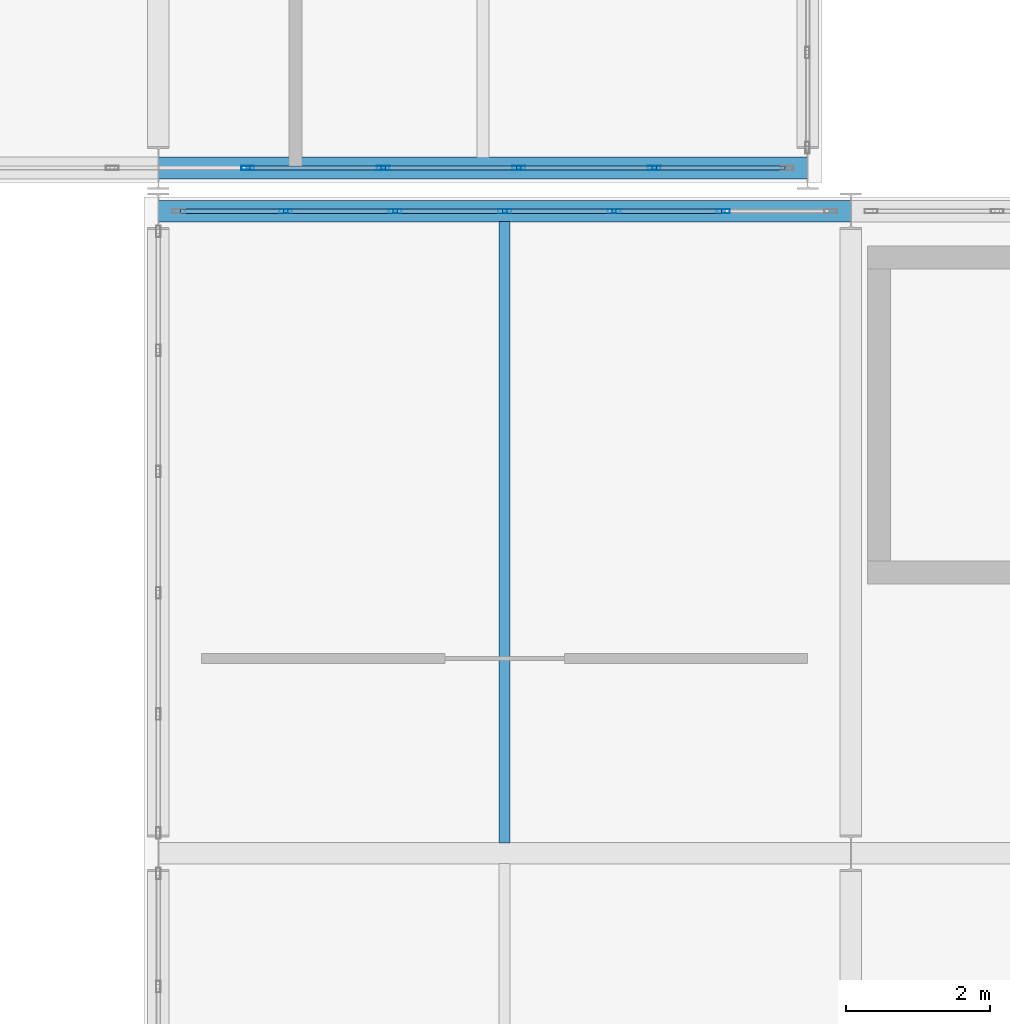
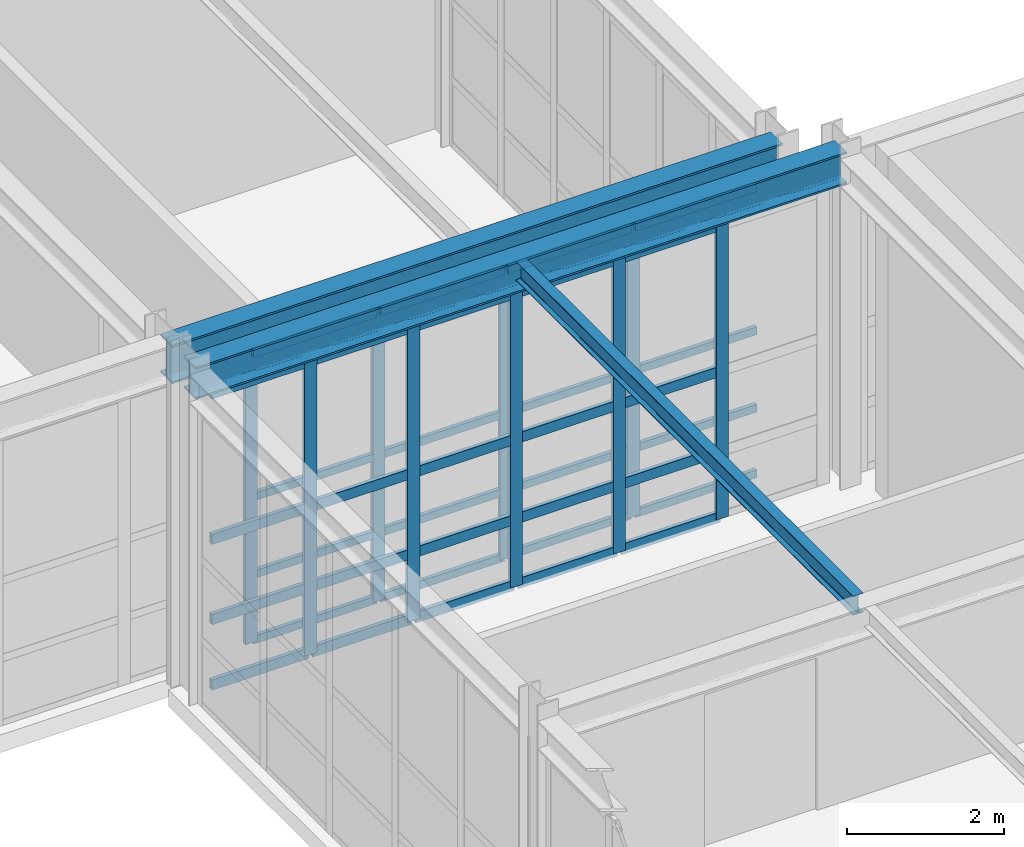
# One storey, part 96 of 210: 45 members, 3 beams, 2 elements without a shape of their own.
"""IFC4 building model written with IfcOpenShell, lengths in metres."""

from ifc_helpers import new_model, si_unit, direction, frame, origin, origin_2d, place, context, subcontext, project, spatial, hollow_rectangle, i_section, extrude, material, material_profile, profile_set, type_object, element, aggregate, save


model = new_model("IFC4")

# Units and contexts
model_context = context("Model", 3, precision=1e-05, world=origin(), true_north=direction((0.0, 1.0)))
body_context = subcontext(model_context, "Body", "Model", "MODEL_VIEW")
ifc_project = project(units=[si_unit("LENGTHUNIT", "METRE"), si_unit("AREAUNIT", "SQUARE_METRE"), si_unit("VOLUMEUNIT", "CUBIC_METRE"), si_unit("PLANEANGLEUNIT", "RADIAN"), si_unit("MASSUNIT", "GRAM", prefix="KILO")], contexts=[model_context])

# Site, building, storey
site_placement = place(None, origin())
site = spatial("IfcSite", under=ifc_project, at=site_placement, CompositionType="ELEMENT")
building_placement = place(site_placement, origin())
building = spatial("IfcBuilding", under=site, at=building_placement, Name="Kaldris Quays Convention Centre", CompositionType="ELEMENT")
storey_placement = place(building_placement, frame((0.0, 0.0, 6.0)))
storey = spatial("IfcBuildingStorey", under=building, at=storey_placement, Name="L01", CompositionType="ELEMENT", Elevation=6.0)

# Curtain wall, members
ifc_material_1 = material(Name="Anodized aluminium AW-6060 and triple glazing", Category="aluminium")
curtain_wall_type_1 = type_object("IfcCurtainWallType", Name="UNITISED CURTAIN WALL CW05", PredefinedType="NOTDEFINED", material=ifc_material_1)
curtain_wall_1_placement = place(storey_placement, origin())
curtain_wall_1 = element("IfcCurtainWall", 1, at=curtain_wall_1_placement, inside=storey, type_object=curtain_wall_type_1, Name="L01 Unitised Curtain Wall CW05 141", PredefinedType="NOTDEFINED")
ifc_material_2 = material(Name="Anodized aluminium AW-6060", Category="aluminium")
ifc_material_profile_1 = material_profile(ifc_material_2, hollow_rectangle(XDim=0.06005859375, YDim=0.179931640625, WallThickness=0.0048828125, at=origin_2d()), Name="RHS 180x60x5")
ifc_profile_set_1 = profile_set([ifc_material_profile_1], Name="Anodized aluminium AW-6060")
member_type_1 = type_object("IfcMemberType", Name="CURTAIN MULLION CWM2", PredefinedType="MULLION", material=ifc_profile_set_1)
member_1_placement = place(storey_placement, frame((156.23876953125, 38.0, 0.0), z_axis=(0.0, 0.0, 1.0), x_axis=(0.0, 1.0, 0.0)))
member_1 = element("IfcMember", 2, at=member_1_placement, type_object=member_type_1, Name="CW05 mullion 6", PredefinedType="MULLION", context=body_context, shape_type="SweptSolid", body=[
    extrude(hollow_rectangle(XDim=0.06005859375, YDim=0.179931640625, WallThickness=0.0048828125, at=origin_2d()), origin(), (0.0, 0.0, 1.0), 4.51806640625),
])
member_2_placement = place(storey_placement, frame((158.11669921875, 38.0, 0.0), z_axis=(0.0, 0.0, 1.0), x_axis=(0.0, 1.0, 0.0)))
member_2 = element("IfcMember", 3, at=member_2_placement, type_object=member_type_1, Name="CW05 mullion 7", PredefinedType="MULLION", context=body_context, shape_type="SweptSolid", body=[
    extrude(hollow_rectangle(XDim=0.06005859375, YDim=0.179931640625, WallThickness=0.0048828125, at=origin_2d()), origin(), (0.0, 0.0, 1.0), 4.51806640625),
])
member_3_placement = place(storey_placement, frame((159.994384765625, 38.0, 0.0), z_axis=(0.0, 0.0, 1.0), x_axis=(0.0, 1.0, 0.0)))
member_3 = element("IfcMember", 4, at=member_3_placement, type_object=member_type_1, Name="CW05 mullion 8", PredefinedType="MULLION", context=body_context, shape_type="SweptSolid", body=[
    extrude(hollow_rectangle(XDim=0.06005859375, YDim=0.179931640625, WallThickness=0.0048828125, at=origin_2d()), origin(), (0.0, 0.0, 1.0), 4.51806640625),
])
member_4_placement = place(storey_placement, frame((161.872314453125, 38.0, 0.0), z_axis=(0.0, 0.0, 1.0), x_axis=(0.0, 1.0, 0.0)))
member_4 = element("IfcMember", 5, at=member_4_placement, type_object=member_type_1, Name="CW05 mullion 9", PredefinedType="MULLION", context=body_context, shape_type="SweptSolid", body=[
    extrude(hollow_rectangle(XDim=0.06005859375, YDim=0.179931640625, WallThickness=0.0048828125, at=origin_2d()), origin(), (0.0, 0.0, 1.0), 4.51806640625),
])

curtain_wall_type_2 = type_object("IfcCurtainWallType", Name="UNITISED CURTAIN WALL CW02", PredefinedType="NOTDEFINED", material=ifc_material_1)
curtain_wall_2_placement = place(storey_placement, origin())
curtain_wall_2 = element("IfcCurtainWall", 6, at=curtain_wall_2_placement, inside=storey, type_object=curtain_wall_type_2, Name="L01 Unitised Curtain Wall CW02 186", PredefinedType="NOTDEFINED")
member_5_placement = place(storey_placement, frame((156.7666015625, 37.39990234375, 0.0), z_axis=(0.0, 0.0, 1.0), x_axis=(0.0, 1.0, 0.0)))
member_5 = element("IfcMember", 7, at=member_5_placement, type_object=member_type_1, Name="CW02 mullion 2", PredefinedType="MULLION", context=body_context, shape_type="SweptSolid", body=[
    extrude(hollow_rectangle(XDim=0.06005859375, YDim=0.179931640625, WallThickness=0.0048828125, at=origin_2d()), origin(), (0.0, 0.0, 1.0), 4.60009765625),
])
member_6_placement = place(storey_placement, frame((158.283447265625, 37.39990234375, 0.0), z_axis=(0.0, 0.0, 1.0), x_axis=(0.0, 1.0, 0.0)))
member_6 = element("IfcMember", 8, at=member_6_placement, type_object=member_type_1, Name="CW02 mullion 3", PredefinedType="MULLION", context=body_context, shape_type="SweptSolid", body=[
    extrude(hollow_rectangle(XDim=0.06005859375, YDim=0.179931640625, WallThickness=0.0048828125, at=origin_2d()), origin(), (0.0, 0.0, 1.0), 4.60009765625),
])
member_7_placement = place(storey_placement, frame((159.800048828125, 37.39990234375, 0.0), z_axis=(0.0, 0.0, 1.0), x_axis=(0.0, 1.0, 0.0)))
member_7 = element("IfcMember", 9, at=member_7_placement, type_object=member_type_1, Name="CW02 mullion 4", PredefinedType="MULLION", context=body_context, shape_type="SweptSolid", body=[
    extrude(hollow_rectangle(XDim=0.06005859375, YDim=0.179931640625, WallThickness=0.0048828125, at=origin_2d()), origin(), (0.0, 0.0, 1.0), 4.60009765625),
])
member_8_placement = place(storey_placement, frame((161.316650390625, 37.39990234375, 0.0), z_axis=(0.0, 0.0, 1.0), x_axis=(0.0, 1.0, 0.0)))
member_8 = element("IfcMember", 10, at=member_8_placement, type_object=member_type_1, Name="CW02 mullion 5", PredefinedType="MULLION", context=body_context, shape_type="SweptSolid", body=[
    extrude(hollow_rectangle(XDim=0.06005859375, YDim=0.179931640625, WallThickness=0.0048828125, at=origin_2d()), origin(), (0.0, 0.0, 1.0), 4.60009765625),
])
member_9_placement = place(storey_placement, frame((162.833251953125, 37.39990234375, 0.0), z_axis=(0.0, 0.0, 1.0), x_axis=(0.0, 1.0, 0.0)))
member_9 = element("IfcMember", 11, at=member_9_placement, type_object=member_type_1, Name="CW02 mullion 6", PredefinedType="MULLION", context=body_context, shape_type="SweptSolid", body=[
    extrude(hollow_rectangle(XDim=0.06005859375, YDim=0.179931640625, WallThickness=0.0048828125, at=origin_2d()), origin(), (0.0, 0.0, 1.0), 4.60009765625),
])

# Member
ifc_material_profile_2 = material_profile(ifc_material_2, hollow_rectangle(XDim=0.06005859375, YDim=0.1201171875, WallThickness=0.00390625, at=origin_2d()), Name="RHS 120x60x4")
ifc_profile_set_2 = profile_set([ifc_material_profile_2], Name="Anodized aluminium AW-6060")
member_type_2 = type_object("IfcMemberType", Name="CURTAIN TRANSOM CWT1", PredefinedType="USERDEFINED", material=ifc_profile_set_2)
member_10_placement = place(storey_placement, frame((156.268798828125, 38.0, 0.030029296875), z_axis=(1.0, 0.0, 0.0), x_axis=(0.0, 1.0, 0.0)))
member_10 = element("IfcMember", 12, at=member_10_placement, type_object=member_type_2, Name="CW05 transom 6.1", ObjectType="TRANSOM", PredefinedType="USERDEFINED", context=body_context, shape_type="SweptSolid", body=[
    extrude(hollow_rectangle(XDim=0.06005859375, YDim=0.1201171875, WallThickness=0.00390625, at=origin_2d()), origin(), (0.0, 0.0, 1.0), 1.81787109375),
])

member_11_placement = place(storey_placement, frame((156.268798828125, 38.0, 1.050048828125), z_axis=(1.0, 0.0, 0.0), x_axis=(0.0, 1.0, 0.0)))
member_11 = element("IfcMember", 13, at=member_11_placement, type_object=member_type_2, Name="CW05 transom 6.2", ObjectType="TRANSOM", PredefinedType="USERDEFINED", context=body_context, shape_type="SweptSolid", body=[
    extrude(hollow_rectangle(XDim=0.06005859375, YDim=0.1201171875, WallThickness=0.00390625, at=origin_2d()), origin(), (0.0, 0.0, 1.0), 1.81787109375),
])

member_12_placement = place(storey_placement, frame((156.268798828125, 38.0, 2.259033203125), z_axis=(1.0, 0.0, 0.0), x_axis=(0.0, 1.0, 0.0)))
member_12 = element("IfcMember", 14, at=member_12_placement, type_object=member_type_2, Name="CW05 transom 6.3", ObjectType="TRANSOM", PredefinedType="USERDEFINED", context=body_context, shape_type="SweptSolid", body=[
    extrude(hollow_rectangle(XDim=0.06005859375, YDim=0.1201171875, WallThickness=0.00390625, at=origin_2d()), origin(), (0.0, 0.0, 1.0), 1.81787109375),
])

member_13_placement = place(storey_placement, frame((156.268798828125, 38.0, 4.488037109375), z_axis=(1.0, 0.0, 0.0), x_axis=(0.0, 1.0, 0.0)))
member_13 = element("IfcMember", 15, at=member_13_placement, type_object=member_type_2, Name="CW05 transom 6.4", ObjectType="TRANSOM", PredefinedType="USERDEFINED", context=body_context, shape_type="SweptSolid", body=[
    extrude(hollow_rectangle(XDim=0.06005859375, YDim=0.1201171875, WallThickness=0.00390625, at=origin_2d()), origin(), (0.0, 0.0, 1.0), 1.81787109375),
])

member_14_placement = place(storey_placement, frame((158.146728515625, 38.0, 0.030029296875), z_axis=(1.0, 0.0, 0.0), x_axis=(0.0, 1.0, 0.0)))
member_14 = element("IfcMember", 16, at=member_14_placement, type_object=member_type_2, Name="CW05 transom 7.1", ObjectType="TRANSOM", PredefinedType="USERDEFINED", context=body_context, shape_type="SweptSolid", body=[
    extrude(hollow_rectangle(XDim=0.06005859375, YDim=0.1201171875, WallThickness=0.00390625, at=origin_2d()), origin(), (0.0, 0.0, 1.0), 1.817626953125),
])

member_15_placement = place(storey_placement, frame((158.146728515625, 38.0, 1.050048828125), z_axis=(1.0, 0.0, 0.0), x_axis=(0.0, 1.0, 0.0)))
member_15 = element("IfcMember", 17, at=member_15_placement, type_object=member_type_2, Name="CW05 transom 7.2", ObjectType="TRANSOM", PredefinedType="USERDEFINED", context=body_context, shape_type="SweptSolid", body=[
    extrude(hollow_rectangle(XDim=0.06005859375, YDim=0.1201171875, WallThickness=0.00390625, at=origin_2d()), origin(), (0.0, 0.0, 1.0), 1.817626953125),
])

member_16_placement = place(storey_placement, frame((158.146728515625, 38.0, 2.259033203125), z_axis=(1.0, 0.0, 0.0), x_axis=(0.0, 1.0, 0.0)))
member_16 = element("IfcMember", 18, at=member_16_placement, type_object=member_type_2, Name="CW05 transom 7.3", ObjectType="TRANSOM", PredefinedType="USERDEFINED", context=body_context, shape_type="SweptSolid", body=[
    extrude(hollow_rectangle(XDim=0.06005859375, YDim=0.1201171875, WallThickness=0.00390625, at=origin_2d()), origin(), (0.0, 0.0, 1.0), 1.817626953125),
])

member_17_placement = place(storey_placement, frame((158.146728515625, 38.0, 4.488037109375), z_axis=(1.0, 0.0, 0.0), x_axis=(0.0, 1.0, 0.0)))
member_17 = element("IfcMember", 19, at=member_17_placement, type_object=member_type_2, Name="CW05 transom 7.4", ObjectType="TRANSOM", PredefinedType="USERDEFINED", context=body_context, shape_type="SweptSolid", body=[
    extrude(hollow_rectangle(XDim=0.06005859375, YDim=0.1201171875, WallThickness=0.00390625, at=origin_2d()), origin(), (0.0, 0.0, 1.0), 1.817626953125),
])

member_18_placement = place(storey_placement, frame((160.0244140625, 38.0, 0.030029296875), z_axis=(1.0, 0.0, 0.0), x_axis=(0.0, 1.0, 0.0)))
member_18 = element("IfcMember", 20, at=member_18_placement, type_object=member_type_2, Name="CW05 transom 8.1", ObjectType="TRANSOM", PredefinedType="USERDEFINED", context=body_context, shape_type="SweptSolid", body=[
    extrude(hollow_rectangle(XDim=0.06005859375, YDim=0.1201171875, WallThickness=0.00390625, at=origin_2d()), origin(), (0.0, 0.0, 1.0), 1.81787109375),
])

member_19_placement = place(storey_placement, frame((160.0244140625, 38.0, 1.050048828125), z_axis=(1.0, 0.0, 0.0), x_axis=(0.0, 1.0, 0.0)))
member_19 = element("IfcMember", 21, at=member_19_placement, type_object=member_type_2, Name="CW05 transom 8.2", ObjectType="TRANSOM", PredefinedType="USERDEFINED", context=body_context, shape_type="SweptSolid", body=[
    extrude(hollow_rectangle(XDim=0.06005859375, YDim=0.1201171875, WallThickness=0.00390625, at=origin_2d()), origin(), (0.0, 0.0, 1.0), 1.81787109375),
])

member_20_placement = place(storey_placement, frame((160.0244140625, 38.0, 2.259033203125), z_axis=(1.0, 0.0, 0.0), x_axis=(0.0, 1.0, 0.0)))
member_20 = element("IfcMember", 22, at=member_20_placement, type_object=member_type_2, Name="CW05 transom 8.3", ObjectType="TRANSOM", PredefinedType="USERDEFINED", context=body_context, shape_type="SweptSolid", body=[
    extrude(hollow_rectangle(XDim=0.06005859375, YDim=0.1201171875, WallThickness=0.00390625, at=origin_2d()), origin(), (0.0, 0.0, 1.0), 1.81787109375),
])

member_21_placement = place(storey_placement, frame((160.0244140625, 38.0, 4.488037109375), z_axis=(1.0, 0.0, 0.0), x_axis=(0.0, 1.0, 0.0)))
member_21 = element("IfcMember", 23, at=member_21_placement, type_object=member_type_2, Name="CW05 transom 8.4", ObjectType="TRANSOM", PredefinedType="USERDEFINED", context=body_context, shape_type="SweptSolid", body=[
    extrude(hollow_rectangle(XDim=0.06005859375, YDim=0.1201171875, WallThickness=0.00390625, at=origin_2d()), origin(), (0.0, 0.0, 1.0), 1.81787109375),
])

member_22_placement = place(storey_placement, frame((161.90234375, 38.0, 0.030029296875), z_axis=(1.0, 0.0, 0.0), x_axis=(0.0, 1.0, 0.0)))
member_22 = element("IfcMember", 24, at=member_22_placement, type_object=member_type_2, Name="CW05 transom 9.1", ObjectType="TRANSOM", PredefinedType="USERDEFINED", context=body_context, shape_type="SweptSolid", body=[
    extrude(hollow_rectangle(XDim=0.06005859375, YDim=0.1201171875, WallThickness=0.00390625, at=origin_2d()), origin(), (0.0, 0.0, 1.0), 1.78759765625),
])

member_23_placement = place(storey_placement, frame((161.90234375, 38.0, 1.050048828125), z_axis=(1.0, 0.0, 0.0), x_axis=(0.0, 1.0, 0.0)))
member_23 = element("IfcMember", 25, at=member_23_placement, type_object=member_type_2, Name="CW05 transom 9.2", ObjectType="TRANSOM", PredefinedType="USERDEFINED", context=body_context, shape_type="SweptSolid", body=[
    extrude(hollow_rectangle(XDim=0.06005859375, YDim=0.1201171875, WallThickness=0.00390625, at=origin_2d()), origin(), (0.0, 0.0, 1.0), 1.78759765625),
])

member_24_placement = place(storey_placement, frame((161.90234375, 38.0, 2.259033203125), z_axis=(1.0, 0.0, 0.0), x_axis=(0.0, 1.0, 0.0)))
member_24 = element("IfcMember", 26, at=member_24_placement, type_object=member_type_2, Name="CW05 transom 9.3", ObjectType="TRANSOM", PredefinedType="USERDEFINED", context=body_context, shape_type="SweptSolid", body=[
    extrude(hollow_rectangle(XDim=0.06005859375, YDim=0.1201171875, WallThickness=0.00390625, at=origin_2d()), origin(), (0.0, 0.0, 1.0), 1.78759765625),
])

member_25_placement = place(storey_placement, frame((161.90234375, 38.0, 4.488037109375), z_axis=(1.0, 0.0, 0.0), x_axis=(0.0, 1.0, 0.0)))
member_25 = element("IfcMember", 27, at=member_25_placement, type_object=member_type_2, Name="CW05 transom 9.4", ObjectType="TRANSOM", PredefinedType="USERDEFINED", context=body_context, shape_type="SweptSolid", body=[
    extrude(hollow_rectangle(XDim=0.06005859375, YDim=0.1201171875, WallThickness=0.00390625, at=origin_2d()), origin(), (0.0, 0.0, 1.0), 1.78759765625),
])

aggregate(curtain_wall_1, [member_1, member_2, member_3, member_4, member_10, member_11, member_12, member_13, member_14, member_15, member_16, member_17, member_18, member_19, member_20, member_21, member_22, member_23, member_24, member_25])

ifc_material_profile_3 = material_profile(ifc_material_2, hollow_rectangle(XDim=0.06005859375, YDim=0.159912109375, WallThickness=0.00390625, at=origin_2d()), Name="RHS 160x60x4")
ifc_profile_set_3 = profile_set([ifc_material_profile_3], Name="Anodized aluminium AW-6060")
member_type_3 = type_object("IfcMemberType", Name="CURTAIN TRANSOM CWT2", PredefinedType="USERDEFINED", material=ifc_profile_set_3)
member_26_placement = place(storey_placement, frame((155.31005859375, 37.39990234375, 0.030029296875), z_axis=(1.0, 0.0, 0.0), x_axis=(0.0, 1.0, 0.0)))
member_26 = element("IfcMember", 28, at=member_26_placement, type_object=member_type_3, Name="CW02 transom 1.1", ObjectType="TRANSOM", PredefinedType="USERDEFINED", context=body_context, shape_type="SweptSolid", body=[
    extrude(hollow_rectangle(XDim=0.06005859375, YDim=0.159912109375, WallThickness=0.00390625, at=origin_2d()), origin(), (0.0, 0.0, 1.0), 1.426513671875),
])

member_27_placement = place(storey_placement, frame((155.31005859375, 37.39990234375, 1.050048828125), z_axis=(1.0, 0.0, 0.0), x_axis=(0.0, 1.0, 0.0)))
member_27 = element("IfcMember", 29, at=member_27_placement, type_object=member_type_3, Name="CW02 transom 1.2", ObjectType="TRANSOM", PredefinedType="USERDEFINED", context=body_context, shape_type="SweptSolid", body=[
    extrude(hollow_rectangle(XDim=0.06005859375, YDim=0.159912109375, WallThickness=0.00390625, at=origin_2d()), origin(), (0.0, 0.0, 1.0), 1.426513671875),
])

member_28_placement = place(storey_placement, frame((155.31005859375, 37.39990234375, 2.300048828125), z_axis=(1.0, 0.0, 0.0), x_axis=(0.0, 1.0, 0.0)))
member_28 = element("IfcMember", 30, at=member_28_placement, type_object=member_type_3, Name="CW02 transom 1.3", ObjectType="TRANSOM", PredefinedType="USERDEFINED", context=body_context, shape_type="SweptSolid", body=[
    extrude(hollow_rectangle(XDim=0.06005859375, YDim=0.159912109375, WallThickness=0.00390625, at=origin_2d()), origin(), (0.0, 0.0, 1.0), 1.426513671875),
])

member_29_placement = place(storey_placement, frame((155.31005859375, 37.39990234375, 4.570068359375), z_axis=(1.0, 0.0, 0.0), x_axis=(0.0, 1.0, 0.0)))
member_29 = element("IfcMember", 31, at=member_29_placement, type_object=member_type_3, Name="CW02 transom 1.4", ObjectType="TRANSOM", PredefinedType="USERDEFINED", context=body_context, shape_type="SweptSolid", body=[
    extrude(hollow_rectangle(XDim=0.06005859375, YDim=0.159912109375, WallThickness=0.00390625, at=origin_2d()), origin(), (0.0, 0.0, 1.0), 1.426513671875),
])

member_30_placement = place(storey_placement, frame((156.796630859375, 37.39990234375, 0.030029296875), z_axis=(1.0, 0.0, 0.0), x_axis=(0.0, 1.0, 0.0)))
member_30 = element("IfcMember", 32, at=member_30_placement, type_object=member_type_3, Name="CW02 transom 2.1", ObjectType="TRANSOM", PredefinedType="USERDEFINED", context=body_context, shape_type="SweptSolid", body=[
    extrude(hollow_rectangle(XDim=0.06005859375, YDim=0.159912109375, WallThickness=0.00390625, at=origin_2d()), origin(), (0.0, 0.0, 1.0), 1.456787109375),
])

member_31_placement = place(storey_placement, frame((156.796630859375, 37.39990234375, 1.050048828125), z_axis=(1.0, 0.0, 0.0), x_axis=(0.0, 1.0, 0.0)))
member_31 = element("IfcMember", 33, at=member_31_placement, type_object=member_type_3, Name="CW02 transom 2.2", ObjectType="TRANSOM", PredefinedType="USERDEFINED", context=body_context, shape_type="SweptSolid", body=[
    extrude(hollow_rectangle(XDim=0.06005859375, YDim=0.159912109375, WallThickness=0.00390625, at=origin_2d()), origin(), (0.0, 0.0, 1.0), 1.456787109375),
])

member_32_placement = place(storey_placement, frame((156.796630859375, 37.39990234375, 2.300048828125), z_axis=(1.0, 0.0, 0.0), x_axis=(0.0, 1.0, 0.0)))
member_32 = element("IfcMember", 34, at=member_32_placement, type_object=member_type_3, Name="CW02 transom 2.3", ObjectType="TRANSOM", PredefinedType="USERDEFINED", context=body_context, shape_type="SweptSolid", body=[
    extrude(hollow_rectangle(XDim=0.06005859375, YDim=0.159912109375, WallThickness=0.00390625, at=origin_2d()), origin(), (0.0, 0.0, 1.0), 1.456787109375),
])

member_33_placement = place(storey_placement, frame((156.796630859375, 37.39990234375, 4.570068359375), z_axis=(1.0, 0.0, 0.0), x_axis=(0.0, 1.0, 0.0)))
member_33 = element("IfcMember", 35, at=member_33_placement, type_object=member_type_3, Name="CW02 transom 2.4", ObjectType="TRANSOM", PredefinedType="USERDEFINED", context=body_context, shape_type="SweptSolid", body=[
    extrude(hollow_rectangle(XDim=0.06005859375, YDim=0.159912109375, WallThickness=0.00390625, at=origin_2d()), origin(), (0.0, 0.0, 1.0), 1.456787109375),
])

member_34_placement = place(storey_placement, frame((158.313232421875, 37.39990234375, 0.030029296875), z_axis=(1.0, 0.0, 0.0), x_axis=(0.0, 1.0, 0.0)))
member_34 = element("IfcMember", 36, at=member_34_placement, type_object=member_type_3, Name="CW02 transom 3.1", ObjectType="TRANSOM", PredefinedType="USERDEFINED", context=body_context, shape_type="SweptSolid", body=[
    extrude(hollow_rectangle(XDim=0.06005859375, YDim=0.159912109375, WallThickness=0.00390625, at=origin_2d()), origin(), (0.0, 0.0, 1.0), 1.456787109375),
])

member_35_placement = place(storey_placement, frame((158.313232421875, 37.39990234375, 1.050048828125), z_axis=(1.0, 0.0, 0.0), x_axis=(0.0, 1.0, 0.0)))
member_35 = element("IfcMember", 37, at=member_35_placement, type_object=member_type_3, Name="CW02 transom 3.2", ObjectType="TRANSOM", PredefinedType="USERDEFINED", context=body_context, shape_type="SweptSolid", body=[
    extrude(hollow_rectangle(XDim=0.06005859375, YDim=0.159912109375, WallThickness=0.00390625, at=origin_2d()), origin(), (0.0, 0.0, 1.0), 1.456787109375),
])

member_36_placement = place(storey_placement, frame((158.313232421875, 37.39990234375, 2.300048828125), z_axis=(1.0, 0.0, 0.0), x_axis=(0.0, 1.0, 0.0)))
member_36 = element("IfcMember", 38, at=member_36_placement, type_object=member_type_3, Name="CW02 transom 3.3", ObjectType="TRANSOM", PredefinedType="USERDEFINED", context=body_context, shape_type="SweptSolid", body=[
    extrude(hollow_rectangle(XDim=0.06005859375, YDim=0.159912109375, WallThickness=0.00390625, at=origin_2d()), origin(), (0.0, 0.0, 1.0), 1.456787109375),
])

member_37_placement = place(storey_placement, frame((158.313232421875, 37.39990234375, 4.570068359375), z_axis=(1.0, 0.0, 0.0), x_axis=(0.0, 1.0, 0.0)))
member_37 = element("IfcMember", 39, at=member_37_placement, type_object=member_type_3, Name="CW02 transom 3.4", ObjectType="TRANSOM", PredefinedType="USERDEFINED", context=body_context, shape_type="SweptSolid", body=[
    extrude(hollow_rectangle(XDim=0.06005859375, YDim=0.159912109375, WallThickness=0.00390625, at=origin_2d()), origin(), (0.0, 0.0, 1.0), 1.456787109375),
])

member_38_placement = place(storey_placement, frame((159.830078125, 37.39990234375, 0.030029296875), z_axis=(1.0, 0.0, 0.0), x_axis=(0.0, 1.0, 0.0)))
member_38 = element("IfcMember", 40, at=member_38_placement, type_object=member_type_3, Name="CW02 transom 4.1", ObjectType="TRANSOM", PredefinedType="USERDEFINED", context=body_context, shape_type="SweptSolid", body=[
    extrude(hollow_rectangle(XDim=0.06005859375, YDim=0.159912109375, WallThickness=0.00390625, at=origin_2d()), origin(), (0.0, 0.0, 1.0), 1.45654296875),
])

member_39_placement = place(storey_placement, frame((159.830078125, 37.39990234375, 1.050048828125), z_axis=(1.0, 0.0, 0.0), x_axis=(0.0, 1.0, 0.0)))
member_39 = element("IfcMember", 41, at=member_39_placement, type_object=member_type_3, Name="CW02 transom 4.2", ObjectType="TRANSOM", PredefinedType="USERDEFINED", context=body_context, shape_type="SweptSolid", body=[
    extrude(hollow_rectangle(XDim=0.06005859375, YDim=0.159912109375, WallThickness=0.00390625, at=origin_2d()), origin(), (0.0, 0.0, 1.0), 1.45654296875),
])

member_40_placement = place(storey_placement, frame((159.830078125, 37.39990234375, 2.300048828125), z_axis=(1.0, 0.0, 0.0), x_axis=(0.0, 1.0, 0.0)))
member_40 = element("IfcMember", 42, at=member_40_placement, type_object=member_type_3, Name="CW02 transom 4.3", ObjectType="TRANSOM", PredefinedType="USERDEFINED", context=body_context, shape_type="SweptSolid", body=[
    extrude(hollow_rectangle(XDim=0.06005859375, YDim=0.159912109375, WallThickness=0.00390625, at=origin_2d()), origin(), (0.0, 0.0, 1.0), 1.45654296875),
])

member_41_placement = place(storey_placement, frame((159.830078125, 37.39990234375, 4.570068359375), z_axis=(1.0, 0.0, 0.0), x_axis=(0.0, 1.0, 0.0)))
member_41 = element("IfcMember", 43, at=member_41_placement, type_object=member_type_3, Name="CW02 transom 4.4", ObjectType="TRANSOM", PredefinedType="USERDEFINED", context=body_context, shape_type="SweptSolid", body=[
    extrude(hollow_rectangle(XDim=0.06005859375, YDim=0.159912109375, WallThickness=0.00390625, at=origin_2d()), origin(), (0.0, 0.0, 1.0), 1.45654296875),
])

member_42_placement = place(storey_placement, frame((161.3466796875, 37.39990234375, 0.030029296875), z_axis=(1.0, 0.0, 0.0), x_axis=(0.0, 1.0, 0.0)))
member_42 = element("IfcMember", 44, at=member_42_placement, type_object=member_type_3, Name="CW02 transom 5.1", ObjectType="TRANSOM", PredefinedType="USERDEFINED", context=body_context, shape_type="SweptSolid", body=[
    extrude(hollow_rectangle(XDim=0.06005859375, YDim=0.159912109375, WallThickness=0.00390625, at=origin_2d()), origin(), (0.0, 0.0, 1.0), 1.45654296875),
])

member_43_placement = place(storey_placement, frame((161.3466796875, 37.39990234375, 1.050048828125), z_axis=(1.0, 0.0, 0.0), x_axis=(0.0, 1.0, 0.0)))
member_43 = element("IfcMember", 45, at=member_43_placement, type_object=member_type_3, Name="CW02 transom 5.2", ObjectType="TRANSOM", PredefinedType="USERDEFINED", context=body_context, shape_type="SweptSolid", body=[
    extrude(hollow_rectangle(XDim=0.06005859375, YDim=0.159912109375, WallThickness=0.00390625, at=origin_2d()), origin(), (0.0, 0.0, 1.0), 1.45654296875),
])

member_44_placement = place(storey_placement, frame((161.3466796875, 37.39990234375, 2.300048828125), z_axis=(1.0, 0.0, 0.0), x_axis=(0.0, 1.0, 0.0)))
member_44 = element("IfcMember", 46, at=member_44_placement, type_object=member_type_3, Name="CW02 transom 5.3", ObjectType="TRANSOM", PredefinedType="USERDEFINED", context=body_context, shape_type="SweptSolid", body=[
    extrude(hollow_rectangle(XDim=0.06005859375, YDim=0.159912109375, WallThickness=0.00390625, at=origin_2d()), origin(), (0.0, 0.0, 1.0), 1.45654296875),
])

member_45_placement = place(storey_placement, frame((161.3466796875, 37.39990234375, 4.570068359375), z_axis=(1.0, 0.0, 0.0), x_axis=(0.0, 1.0, 0.0)))
member_45 = element("IfcMember", 47, at=member_45_placement, type_object=member_type_3, Name="CW02 transom 5.4", ObjectType="TRANSOM", PredefinedType="USERDEFINED", context=body_context, shape_type="SweptSolid", body=[
    extrude(hollow_rectangle(XDim=0.06005859375, YDim=0.159912109375, WallThickness=0.00390625, at=origin_2d()), origin(), (0.0, 0.0, 1.0), 1.45654296875),
])

aggregate(curtain_wall_2, [member_5, member_6, member_7, member_8, member_9, member_26, member_27, member_28, member_29, member_30, member_31, member_32, member_33, member_34, member_35, member_36, member_37, member_38, member_39, member_40, member_41, member_42, member_43, member_44, member_45])

# Beams
ifc_material_3 = material(Name="Steel S355J2", Category="steel")
ifc_material_profile_4 = material_profile(ifc_material_3, i_section(OverallWidth=0.300048828125, OverallDepth=0.60009765625, WebThickness=0.015380859375, FlangeThickness=0.030029296875, FilletRadius=0.027099609375, at=origin_2d()), Name="HEB 600")
ifc_profile_set_4 = profile_set([ifc_material_profile_4], Name="Steel S355J2")
beam_type_1 = type_object("IfcBeamType", Name="STRUCTURAL BEAM BM05", PredefinedType="BEAM", material=ifc_profile_set_4)
beam_1_placement = place(storey_placement, frame((155.001708984375, 38.0, 4.843017578125), z_axis=(1.0, 0.0, 0.0), x_axis=(0.0, 1.0, 0.0)))
element("IfcBeam", 48, at=beam_1_placement, inside=storey, type_object=beam_type_1, Name="L01 Girder BM05 9", PredefinedType="BEAM", context=body_context, shape_type="SweptSolid", body=[
    extrude(i_section(OverallWidth=0.300048828125, OverallDepth=0.60009765625, WebThickness=0.015380859375, FlangeThickness=0.030029296875, FilletRadius=0.027099609375, at=origin_2d()), origin(), (0.0, 0.0, 1.0), 8.99658203125),
])
ifc_material_profile_5 = material_profile(ifc_material_3, i_section(OverallWidth=0.300048828125, OverallDepth=0.5, WebThickness=0.014404296875, FlangeThickness=0.028076171875, FilletRadius=0.027099609375, at=origin_2d()), Name="HEB 500")
ifc_profile_set_5 = profile_set([ifc_material_profile_5], Name="Steel S355J2")
beam_type_2 = type_object("IfcBeamType", Name="STRUCTURAL BEAM BM06", PredefinedType="BEAM", material=ifc_profile_set_5)
beam_2_placement = place(storey_placement, frame((155.001220703125, 37.39990234375, 4.9130859375), z_axis=(1.0, 0.0, 0.0), x_axis=(0.0, 1.0, 0.0)))
element("IfcBeam", 49, at=beam_2_placement, inside=storey, type_object=beam_type_2, Name="L01 Girder BM06 11", PredefinedType="BEAM", context=body_context, shape_type="SweptSolid", body=[
    extrude(i_section(OverallWidth=0.300048828125, OverallDepth=0.5, WebThickness=0.014404296875, FlangeThickness=0.028076171875, FilletRadius=0.027099609375, at=origin_2d()), origin(), (0.0, 0.0, 1.0), 9.597412109375),
])
ifc_material_profile_6 = material_profile(ifc_material_3, i_section(OverallWidth=0.14990234375, OverallDepth=0.300048828125, WebThickness=0.007080078125, FlangeThickness=0.0107421875, FilletRadius=0.014892578125, at=origin_2d()), Name="IPE 300")
ifc_profile_set_6 = profile_set([ifc_material_profile_6], Name="Steel S355J2")
beam_type_3 = type_object("IfcBeamType", Name="STRUCTURAL BEAM JT04", PredefinedType="JOIST", material=ifc_profile_set_6)
beam_3_placement = place(storey_placement, frame((159.800048828125, 28.64404296875, 5.012939453125), z_axis=(0.0, 1.0, 0.0), x_axis=(-1.0, 0.0, 0.0)))
element("IfcBeam", 50, at=beam_3_placement, inside=storey, type_object=beam_type_3, Name="L01 Secondary Joist JT04 5", PredefinedType="JOIST", context=body_context, shape_type="SweptSolid", body=[
    extrude(i_section(OverallWidth=0.14990234375, OverallDepth=0.300048828125, WebThickness=0.007080078125, FlangeThickness=0.0107421875, FilletRadius=0.014892578125, at=origin_2d()), origin(), (0.0, 0.0, 1.0), 8.612060546875),
])

save(model, "model.ifc")
